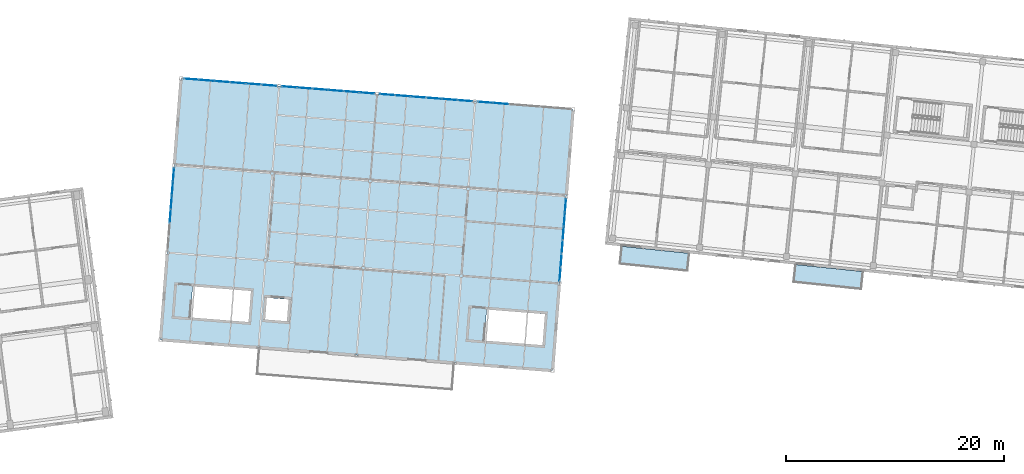
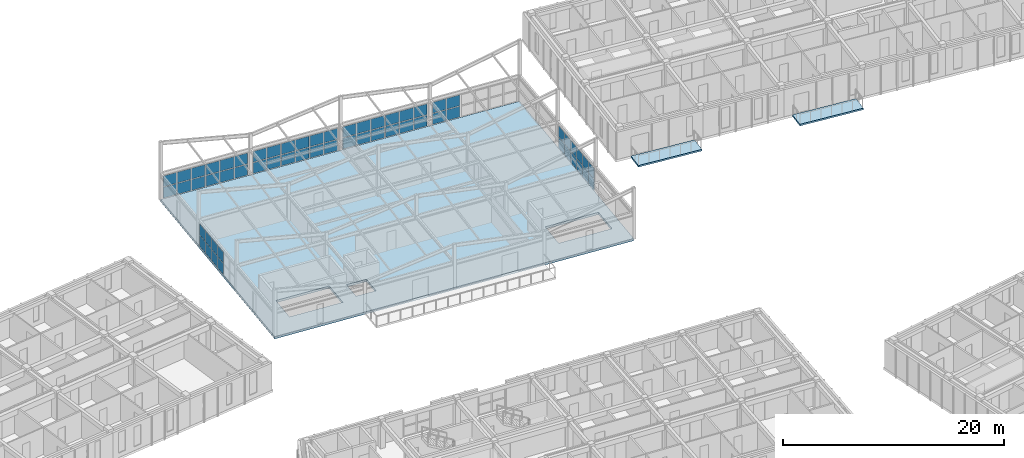
# One storey, part 70 of 127: 60 plates, 3 slabs, 6 elements without a shape of their own.
"""IFC4 building model written with IfcOpenShell, lengths in metres."""

from ifc_helpers import new_model, si_unit, direction, frame, origin, origin_2d, place, context, subcontext, project, spatial, polyline, rectangle, outline, extrude, material, layer, layer_set, type_object, element, aggregate, save


model = new_model("IFC4")

# Units and contexts
model_context = context("Model", 3, precision=1e-05, world=origin(), true_north=direction((0.0, 1.0)))
body_context = subcontext(model_context, "Body", "Model", "MODEL_VIEW")
ifc_project = project(units=[si_unit("LENGTHUNIT", "METRE"), si_unit("AREAUNIT", "SQUARE_METRE"), si_unit("VOLUMEUNIT", "CUBIC_METRE"), si_unit("PLANEANGLEUNIT", "RADIAN"), si_unit("MASSUNIT", "GRAM", prefix="KILO")], contexts=[model_context])

# Site, building, storey
site_placement = place(None, origin())
site = spatial("IfcSite", under=ifc_project, at=site_placement, CompositionType="ELEMENT")
building_placement = place(site_placement, origin())
building = spatial("IfcBuilding", under=site, at=building_placement, Name="Kestramere Prow Commons", CompositionType="ELEMENT")
storey_placement = place(building_placement, frame((0.0, 0.0, 8.39990234375)))
storey = spatial("IfcBuildingStorey", under=building, at=storey_placement, Name="L02", CompositionType="ELEMENT", Elevation=8.39990234375)

# Curtain wall, plates
ifc_material_1 = material(Name="Anodised Aluminium and Low-E Glass", Category="aluminium")
curtain_wall_type_1 = type_object("IfcCurtainWallType", Name="CW-17 Glazed Curtain Wall 8600x2580", PredefinedType="USERDEFINED", material=ifc_material_1)
curtain_wall_1_placement = place(storey_placement, origin())
curtain_wall_1 = element("IfcCurtainWall", 1, at=curtain_wall_1_placement, inside=storey, type_object=curtain_wall_type_1, Name="Nursery L02 North Garden Glazing 1", ObjectType="GLAZED CURTAIN WALL", PredefinedType="USERDEFINED")
ifc_material_2 = material(Name="Low-E Laminated Double Glazing", Category="glass")
ifc_layer_1 = layer(ifc_material_2, 0.028076171875)
ifc_layer_set_1 = layer_set([ifc_layer_1], Name="Low-E Laminated Double Glazing")
plate_type = type_object("IfcPlateType", Name="CW-PNL-28", PredefinedType="CURTAIN_PANEL", material=ifc_layer_set_1)
plate_1_placement = place(storey_placement, frame((71.4130859375, 109.352783203125, 0.065185546875), z_axis=(0.0, 0.0, 1.0), x_axis=(0.996917335713, -0.078459070568, 0.0)))
plate_1 = element("IfcPlate", 2, at=plate_1_placement, type_object=plate_type, Name="CW-17 panel 1.1", PredefinedType="CURTAIN_PANEL", context=body_context, shape_type="SweptSolid", body=[
    extrude(rectangle(XDim=1.3359375, YDim=0.028076171875, at=origin_2d()), origin(), (0.0, 0.0, 1.0), 1.1923828125),
])
plate_2_placement = place(storey_placement, frame((71.4130859375, 109.352783203125, 1.32275390625), z_axis=(0.0, 0.0, 1.0), x_axis=(0.996917335713, -0.078459070568, 0.0)))
plate_2 = element("IfcPlate", 3, at=plate_2_placement, type_object=plate_type, Name="CW-17 panel 1.2", PredefinedType="CURTAIN_PANEL", context=body_context, shape_type="SweptSolid", body=[
    extrude(rectangle(XDim=1.3359375, YDim=0.028076171875, at=origin_2d()), origin(), (0.0, 0.0, 1.0), 1.1923828125),
])
plate_3_placement = place(storey_placement, frame((72.82568359375, 109.24169921875, 0.065185546875), z_axis=(0.0, 0.0, 1.0), x_axis=(0.996917335713, -0.078459070568, 0.0)))
plate_3 = element("IfcPlate", 4, at=plate_3_placement, type_object=plate_type, Name="CW-17 panel 2.1", PredefinedType="CURTAIN_PANEL", context=body_context, shape_type="SweptSolid", body=[
    extrude(rectangle(XDim=1.368408203125, YDim=0.028076171875, at=origin_2d()), origin(), (0.0, 0.0, 1.0), 1.1923828125),
])
plate_4_placement = place(storey_placement, frame((72.82568359375, 109.24169921875, 1.32275390625), z_axis=(0.0, 0.0, 1.0), x_axis=(0.996917335713, -0.078459070568, 0.0)))
plate_4 = element("IfcPlate", 5, at=plate_4_placement, type_object=plate_type, Name="CW-17 panel 2.2", PredefinedType="CURTAIN_PANEL", context=body_context, shape_type="SweptSolid", body=[
    extrude(rectangle(XDim=1.368408203125, YDim=0.028076171875, at=origin_2d()), origin(), (0.0, 0.0, 1.0), 1.1923828125),
])
plate_5_placement = place(storey_placement, frame((74.254638671875, 109.129150390625, 0.065185546875), z_axis=(0.0, 0.0, 1.0), x_axis=(0.996917335713, -0.078459070568, 0.0)))
plate_5 = element("IfcPlate", 6, at=plate_5_placement, type_object=plate_type, Name="CW-17 panel 3.1", PredefinedType="CURTAIN_PANEL", context=body_context, shape_type="SweptSolid", body=[
    extrude(rectangle(XDim=1.368408203125, YDim=0.028076171875, at=origin_2d()), origin(), (0.0, 0.0, 1.0), 1.1923828125),
])
plate_6_placement = place(storey_placement, frame((74.254638671875, 109.129150390625, 1.32275390625), z_axis=(0.0, 0.0, 1.0), x_axis=(0.996917335713, -0.078459070568, 0.0)))
plate_6 = element("IfcPlate", 7, at=plate_6_placement, type_object=plate_type, Name="CW-17 panel 3.2", PredefinedType="CURTAIN_PANEL", context=body_context, shape_type="SweptSolid", body=[
    extrude(rectangle(XDim=1.368408203125, YDim=0.028076171875, at=origin_2d()), origin(), (0.0, 0.0, 1.0), 1.1923828125),
])
plate_7_placement = place(storey_placement, frame((75.68359375, 109.0166015625, 0.065185546875), z_axis=(0.0, 0.0, 1.0), x_axis=(0.996917335713, -0.078459070568, 0.0)))
plate_7 = element("IfcPlate", 8, at=plate_7_placement, type_object=plate_type, Name="CW-17 panel 4.1", PredefinedType="CURTAIN_PANEL", context=body_context, shape_type="SweptSolid", body=[
    extrude(rectangle(XDim=1.368408203125, YDim=0.028076171875, at=origin_2d()), origin(), (0.0, 0.0, 1.0), 1.1923828125),
])
plate_8_placement = place(storey_placement, frame((75.68359375, 109.0166015625, 1.32275390625), z_axis=(0.0, 0.0, 1.0), x_axis=(0.996917335713, -0.078459070568, 0.0)))
plate_8 = element("IfcPlate", 9, at=plate_8_placement, type_object=plate_type, Name="CW-17 panel 4.2", PredefinedType="CURTAIN_PANEL", context=body_context, shape_type="SweptSolid", body=[
    extrude(rectangle(XDim=1.368408203125, YDim=0.028076171875, at=origin_2d()), origin(), (0.0, 0.0, 1.0), 1.1923828125),
])
plate_9_placement = place(storey_placement, frame((77.112548828125, 108.904296875, 0.065185546875), z_axis=(0.0, 0.0, 1.0), x_axis=(0.996917335713, -0.078459070568, 0.0)))
plate_9 = element("IfcPlate", 10, at=plate_9_placement, type_object=plate_type, Name="CW-17 panel 5.1", PredefinedType="CURTAIN_PANEL", context=body_context, shape_type="SweptSolid", body=[
    extrude(rectangle(XDim=1.368408203125, YDim=0.028076171875, at=origin_2d()), origin(), (0.0, 0.0, 1.0), 1.1923828125),
])
plate_10_placement = place(storey_placement, frame((77.112548828125, 108.904296875, 1.32275390625), z_axis=(0.0, 0.0, 1.0), x_axis=(0.996917335713, -0.078459070568, 0.0)))
plate_10 = element("IfcPlate", 11, at=plate_10_placement, type_object=plate_type, Name="CW-17 panel 5.2", PredefinedType="CURTAIN_PANEL", context=body_context, shape_type="SweptSolid", body=[
    extrude(rectangle(XDim=1.368408203125, YDim=0.028076171875, at=origin_2d()), origin(), (0.0, 0.0, 1.0), 1.1923828125),
])
plate_11_placement = place(storey_placement, frame((78.525146484375, 108.79296875, 0.065185546875), z_axis=(0.0, 0.0, 1.0), x_axis=(0.996917335713, -0.078459070568, 0.0)))
plate_11 = element("IfcPlate", 12, at=plate_11_placement, type_object=plate_type, Name="CW-17 panel 6.1", PredefinedType="CURTAIN_PANEL", context=body_context, shape_type="SweptSolid", body=[
    extrude(rectangle(XDim=1.3359375, YDim=0.028076171875, at=origin_2d()), origin(), (0.0, 0.0, 1.0), 1.1923828125),
])
plate_12_placement = place(storey_placement, frame((78.525146484375, 108.79296875, 1.32275390625), z_axis=(0.0, 0.0, 1.0), x_axis=(0.996917335713, -0.078459070568, 0.0)))
plate_12 = element("IfcPlate", 13, at=plate_12_placement, type_object=plate_type, Name="CW-17 panel 6.2", PredefinedType="CURTAIN_PANEL", context=body_context, shape_type="SweptSolid", body=[
    extrude(rectangle(XDim=1.3359375, YDim=0.028076171875, at=origin_2d()), origin(), (0.0, 0.0, 1.0), 1.1923828125),
])
aggregate(curtain_wall_1, [plate_1, plate_2, plate_3, plate_4, plate_5, plate_6, plate_7, plate_8, plate_9, plate_10, plate_11, plate_12])

curtain_wall_2_placement = place(storey_placement, origin())
curtain_wall_2 = element("IfcCurtainWall", 14, at=curtain_wall_2_placement, inside=storey, type_object=curtain_wall_type_1, Name="Nursery L02 North Garden Glazing 2", ObjectType="GLAZED CURTAIN WALL", PredefinedType="USERDEFINED")
plate_13_placement = place(storey_placement, frame((80.38525390625, 108.646728515625, 0.065185546875), z_axis=(0.0, 0.0, 1.0), x_axis=(0.996917335713, -0.078459070568, 0.0)))
plate_13 = element("IfcPlate", 15, at=plate_13_placement, type_object=plate_type, Name="CW-17 panel 1.1", PredefinedType="CURTAIN_PANEL", context=body_context, shape_type="SweptSolid", body=[
    extrude(rectangle(XDim=1.3359375, YDim=0.028076171875, at=origin_2d()), origin(), (0.0, 0.0, 1.0), 1.1923828125),
])
plate_14_placement = place(storey_placement, frame((80.38525390625, 108.646728515625, 1.32275390625), z_axis=(0.0, 0.0, 1.0), x_axis=(0.996917335713, -0.078459070568, 0.0)))
plate_14 = element("IfcPlate", 16, at=plate_14_placement, type_object=plate_type, Name="CW-17 panel 1.2", PredefinedType="CURTAIN_PANEL", context=body_context, shape_type="SweptSolid", body=[
    extrude(rectangle(XDim=1.3359375, YDim=0.028076171875, at=origin_2d()), origin(), (0.0, 0.0, 1.0), 1.1923828125),
])
plate_15_placement = place(storey_placement, frame((81.798095703125, 108.535400390625, 0.065185546875), z_axis=(0.0, 0.0, 1.0), x_axis=(0.996917335713, -0.078459070568, 0.0)))
plate_15 = element("IfcPlate", 17, at=plate_15_placement, type_object=plate_type, Name="CW-17 panel 2.1", PredefinedType="CURTAIN_PANEL", context=body_context, shape_type="SweptSolid", body=[
    extrude(rectangle(XDim=1.368408203125, YDim=0.028076171875, at=origin_2d()), origin(), (0.0, 0.0, 1.0), 1.1923828125),
])
plate_16_placement = place(storey_placement, frame((81.798095703125, 108.535400390625, 1.32275390625), z_axis=(0.0, 0.0, 1.0), x_axis=(0.996917335713, -0.078459070568, 0.0)))
plate_16 = element("IfcPlate", 18, at=plate_16_placement, type_object=plate_type, Name="CW-17 panel 2.2", PredefinedType="CURTAIN_PANEL", context=body_context, shape_type="SweptSolid", body=[
    extrude(rectangle(XDim=1.368408203125, YDim=0.028076171875, at=origin_2d()), origin(), (0.0, 0.0, 1.0), 1.1923828125),
])
plate_17_placement = place(storey_placement, frame((83.22705078125, 108.423095703125, 0.065185546875), z_axis=(0.0, 0.0, 1.0), x_axis=(0.996917335713, -0.078459070568, 0.0)))
plate_17 = element("IfcPlate", 19, at=plate_17_placement, type_object=plate_type, Name="CW-17 panel 3.1", PredefinedType="CURTAIN_PANEL", context=body_context, shape_type="SweptSolid", body=[
    extrude(rectangle(XDim=1.368408203125, YDim=0.028076171875, at=origin_2d()), origin(), (0.0, 0.0, 1.0), 1.1923828125),
])
plate_18_placement = place(storey_placement, frame((83.22705078125, 108.423095703125, 1.32275390625), z_axis=(0.0, 0.0, 1.0), x_axis=(0.996917335713, -0.078459070568, 0.0)))
plate_18 = element("IfcPlate", 20, at=plate_18_placement, type_object=plate_type, Name="CW-17 panel 3.2", PredefinedType="CURTAIN_PANEL", context=body_context, shape_type="SweptSolid", body=[
    extrude(rectangle(XDim=1.368408203125, YDim=0.028076171875, at=origin_2d()), origin(), (0.0, 0.0, 1.0), 1.1923828125),
])
plate_19_placement = place(storey_placement, frame((84.65576171875, 108.310546875, 0.065185546875), z_axis=(0.0, 0.0, 1.0), x_axis=(0.996917335713, -0.078459070568, 0.0)))
plate_19 = element("IfcPlate", 21, at=plate_19_placement, type_object=plate_type, Name="CW-17 panel 4.1", PredefinedType="CURTAIN_PANEL", context=body_context, shape_type="SweptSolid", body=[
    extrude(rectangle(XDim=1.368408203125, YDim=0.028076171875, at=origin_2d()), origin(), (0.0, 0.0, 1.0), 1.1923828125),
])
plate_20_placement = place(storey_placement, frame((84.65576171875, 108.310546875, 1.32275390625), z_axis=(0.0, 0.0, 1.0), x_axis=(0.996917335713, -0.078459070568, 0.0)))
plate_20 = element("IfcPlate", 22, at=plate_20_placement, type_object=plate_type, Name="CW-17 panel 4.2", PredefinedType="CURTAIN_PANEL", context=body_context, shape_type="SweptSolid", body=[
    extrude(rectangle(XDim=1.368408203125, YDim=0.028076171875, at=origin_2d()), origin(), (0.0, 0.0, 1.0), 1.1923828125),
])
plate_21_placement = place(storey_placement, frame((86.084716796875, 108.1982421875, 0.065185546875), z_axis=(0.0, 0.0, 1.0), x_axis=(0.996917335713, -0.078459070568, 0.0)))
plate_21 = element("IfcPlate", 23, at=plate_21_placement, type_object=plate_type, Name="CW-17 panel 5.1", PredefinedType="CURTAIN_PANEL", context=body_context, shape_type="SweptSolid", body=[
    extrude(rectangle(XDim=1.368408203125, YDim=0.028076171875, at=origin_2d()), origin(), (0.0, 0.0, 1.0), 1.1923828125),
])
plate_22_placement = place(storey_placement, frame((86.084716796875, 108.1982421875, 1.32275390625), z_axis=(0.0, 0.0, 1.0), x_axis=(0.996917335713, -0.078459070568, 0.0)))
plate_22 = element("IfcPlate", 24, at=plate_22_placement, type_object=plate_type, Name="CW-17 panel 5.2", PredefinedType="CURTAIN_PANEL", context=body_context, shape_type="SweptSolid", body=[
    extrude(rectangle(XDim=1.368408203125, YDim=0.028076171875, at=origin_2d()), origin(), (0.0, 0.0, 1.0), 1.1923828125),
])
plate_23_placement = place(storey_placement, frame((87.49755859375, 108.0869140625, 0.065185546875), z_axis=(0.0, 0.0, 1.0), x_axis=(0.996917335713, -0.078459070568, 0.0)))
plate_23 = element("IfcPlate", 25, at=plate_23_placement, type_object=plate_type, Name="CW-17 panel 6.1", PredefinedType="CURTAIN_PANEL", context=body_context, shape_type="SweptSolid", body=[
    extrude(rectangle(XDim=1.3359375, YDim=0.028076171875, at=origin_2d()), origin(), (0.0, 0.0, 1.0), 1.1923828125),
])
plate_24_placement = place(storey_placement, frame((87.49755859375, 108.0869140625, 1.32275390625), z_axis=(0.0, 0.0, 1.0), x_axis=(0.996917335713, -0.078459070568, 0.0)))
plate_24 = element("IfcPlate", 26, at=plate_24_placement, type_object=plate_type, Name="CW-17 panel 6.2", PredefinedType="CURTAIN_PANEL", context=body_context, shape_type="SweptSolid", body=[
    extrude(rectangle(XDim=1.3359375, YDim=0.028076171875, at=origin_2d()), origin(), (0.0, 0.0, 1.0), 1.1923828125),
])
aggregate(curtain_wall_2, [plate_13, plate_14, plate_15, plate_16, plate_17, plate_18, plate_19, plate_20, plate_21, plate_22, plate_23, plate_24])

curtain_wall_3_placement = place(storey_placement, origin())
curtain_wall_3 = element("IfcCurtainWall", 27, at=curtain_wall_3_placement, inside=storey, type_object=curtain_wall_type_1, Name="Nursery L02 North Garden Glazing 3", ObjectType="GLAZED CURTAIN WALL", PredefinedType="USERDEFINED")
plate_25_placement = place(storey_placement, frame((89.357666015625, 107.940673828125, 0.065185546875), z_axis=(0.0, 0.0, 1.0), x_axis=(0.996917335713, -0.078459070568, 0.0)))
plate_25 = element("IfcPlate", 28, at=plate_25_placement, type_object=plate_type, Name="CW-17 panel 1.1", PredefinedType="CURTAIN_PANEL", context=body_context, shape_type="SweptSolid", body=[
    extrude(rectangle(XDim=1.3359375, YDim=0.028076171875, at=origin_2d()), origin(), (0.0, 0.0, 1.0), 1.1923828125),
])
plate_26_placement = place(storey_placement, frame((89.357666015625, 107.940673828125, 1.32275390625), z_axis=(0.0, 0.0, 1.0), x_axis=(0.996917335713, -0.078459070568, 0.0)))
plate_26 = element("IfcPlate", 29, at=plate_26_placement, type_object=plate_type, Name="CW-17 panel 1.2", PredefinedType="CURTAIN_PANEL", context=body_context, shape_type="SweptSolid", body=[
    extrude(rectangle(XDim=1.3359375, YDim=0.028076171875, at=origin_2d()), origin(), (0.0, 0.0, 1.0), 1.1923828125),
])
plate_27_placement = place(storey_placement, frame((90.770263671875, 107.829345703125, 0.065185546875), z_axis=(0.0, 0.0, 1.0), x_axis=(0.996917335713, -0.078459070568, 0.0)))
plate_27 = element("IfcPlate", 30, at=plate_27_placement, type_object=plate_type, Name="CW-17 panel 2.1", PredefinedType="CURTAIN_PANEL", context=body_context, shape_type="SweptSolid", body=[
    extrude(rectangle(XDim=1.368408203125, YDim=0.028076171875, at=origin_2d()), origin(), (0.0, 0.0, 1.0), 1.1923828125),
])
plate_28_placement = place(storey_placement, frame((90.770263671875, 107.829345703125, 1.32275390625), z_axis=(0.0, 0.0, 1.0), x_axis=(0.996917335713, -0.078459070568, 0.0)))
plate_28 = element("IfcPlate", 31, at=plate_28_placement, type_object=plate_type, Name="CW-17 panel 2.2", PredefinedType="CURTAIN_PANEL", context=body_context, shape_type="SweptSolid", body=[
    extrude(rectangle(XDim=1.368408203125, YDim=0.028076171875, at=origin_2d()), origin(), (0.0, 0.0, 1.0), 1.1923828125),
])
plate_29_placement = place(storey_placement, frame((92.19921875, 107.716796875, 0.065185546875), z_axis=(0.0, 0.0, 1.0), x_axis=(0.996917335713, -0.078459070568, 0.0)))
plate_29 = element("IfcPlate", 32, at=plate_29_placement, type_object=plate_type, Name="CW-17 panel 3.1", PredefinedType="CURTAIN_PANEL", context=body_context, shape_type="SweptSolid", body=[
    extrude(rectangle(XDim=1.368408203125, YDim=0.028076171875, at=origin_2d()), origin(), (0.0, 0.0, 1.0), 1.1923828125),
])
plate_30_placement = place(storey_placement, frame((92.19921875, 107.716796875, 1.32275390625), z_axis=(0.0, 0.0, 1.0), x_axis=(0.996917335713, -0.078459070568, 0.0)))
plate_30 = element("IfcPlate", 33, at=plate_30_placement, type_object=plate_type, Name="CW-17 panel 3.2", PredefinedType="CURTAIN_PANEL", context=body_context, shape_type="SweptSolid", body=[
    extrude(rectangle(XDim=1.368408203125, YDim=0.028076171875, at=origin_2d()), origin(), (0.0, 0.0, 1.0), 1.1923828125),
])
plate_31_placement = place(storey_placement, frame((93.628173828125, 107.6044921875, 0.065185546875), z_axis=(0.0, 0.0, 1.0), x_axis=(0.996917335713, -0.078459070568, 0.0)))
plate_31 = element("IfcPlate", 34, at=plate_31_placement, type_object=plate_type, Name="CW-17 panel 4.1", PredefinedType="CURTAIN_PANEL", context=body_context, shape_type="SweptSolid", body=[
    extrude(rectangle(XDim=1.368408203125, YDim=0.028076171875, at=origin_2d()), origin(), (0.0, 0.0, 1.0), 1.1923828125),
])
plate_32_placement = place(storey_placement, frame((93.628173828125, 107.6044921875, 1.32275390625), z_axis=(0.0, 0.0, 1.0), x_axis=(0.996917335713, -0.078459070568, 0.0)))
plate_32 = element("IfcPlate", 35, at=plate_32_placement, type_object=plate_type, Name="CW-17 panel 4.2", PredefinedType="CURTAIN_PANEL", context=body_context, shape_type="SweptSolid", body=[
    extrude(rectangle(XDim=1.368408203125, YDim=0.028076171875, at=origin_2d()), origin(), (0.0, 0.0, 1.0), 1.1923828125),
])
plate_33_placement = place(storey_placement, frame((95.05712890625, 107.491943359375, 0.065185546875), z_axis=(0.0, 0.0, 1.0), x_axis=(0.996917335713, -0.078459070568, 0.0)))
plate_33 = element("IfcPlate", 36, at=plate_33_placement, type_object=plate_type, Name="CW-17 panel 5.1", PredefinedType="CURTAIN_PANEL", context=body_context, shape_type="SweptSolid", body=[
    extrude(rectangle(XDim=1.368408203125, YDim=0.028076171875, at=origin_2d()), origin(), (0.0, 0.0, 1.0), 1.1923828125),
])
plate_34_placement = place(storey_placement, frame((95.05712890625, 107.491943359375, 1.32275390625), z_axis=(0.0, 0.0, 1.0), x_axis=(0.996917335713, -0.078459070568, 0.0)))
plate_34 = element("IfcPlate", 37, at=plate_34_placement, type_object=plate_type, Name="CW-17 panel 5.2", PredefinedType="CURTAIN_PANEL", context=body_context, shape_type="SweptSolid", body=[
    extrude(rectangle(XDim=1.368408203125, YDim=0.028076171875, at=origin_2d()), origin(), (0.0, 0.0, 1.0), 1.1923828125),
])
plate_35_placement = place(storey_placement, frame((96.4697265625, 107.380859375, 0.065185546875), z_axis=(0.0, 0.0, 1.0), x_axis=(0.996917335713, -0.078459070568, 0.0)))
plate_35 = element("IfcPlate", 38, at=plate_35_placement, type_object=plate_type, Name="CW-17 panel 6.1", PredefinedType="CURTAIN_PANEL", context=body_context, shape_type="SweptSolid", body=[
    extrude(rectangle(XDim=1.3359375, YDim=0.028076171875, at=origin_2d()), origin(), (0.0, 0.0, 1.0), 1.1923828125),
])
plate_36_placement = place(storey_placement, frame((96.4697265625, 107.380859375, 1.32275390625), z_axis=(0.0, 0.0, 1.0), x_axis=(0.996917335713, -0.078459070568, 0.0)))
plate_36 = element("IfcPlate", 39, at=plate_36_placement, type_object=plate_type, Name="CW-17 panel 6.2", PredefinedType="CURTAIN_PANEL", context=body_context, shape_type="SweptSolid", body=[
    extrude(rectangle(XDim=1.3359375, YDim=0.028076171875, at=origin_2d()), origin(), (0.0, 0.0, 1.0), 1.1923828125),
])
aggregate(curtain_wall_3, [plate_25, plate_26, plate_27, plate_28, plate_29, plate_30, plate_31, plate_32, plate_33, plate_34, plate_35, plate_36])

curtain_wall_4_placement = place(storey_placement, origin())
curtain_wall_4 = element("IfcCurtainWall", 40, at=curtain_wall_4_placement, inside=storey, type_object=curtain_wall_type_1, Name="Nursery L02 North Garden Glazing 4", ObjectType="GLAZED CURTAIN WALL", PredefinedType="USERDEFINED")
plate_37_placement = place(storey_placement, frame((98.329833984375, 107.234375, 0.065185546875), z_axis=(0.0, 0.0, 1.0), x_axis=(0.996917326618, -0.078459186136, 0.0)))
plate_37 = element("IfcPlate", 41, at=plate_37_placement, type_object=plate_type, Name="CW-17 panel 1.1", PredefinedType="CURTAIN_PANEL", context=body_context, shape_type="SweptSolid", body=[
    extrude(rectangle(XDim=1.3359375, YDim=0.028076171875, at=origin_2d()), origin(), (0.0, 0.0, 1.0), 1.1923828125),
])
plate_38_placement = place(storey_placement, frame((98.329833984375, 107.234375, 1.32275390625), z_axis=(0.0, 0.0, 1.0), x_axis=(0.996917326618, -0.078459186136, 0.0)))
plate_38 = element("IfcPlate", 42, at=plate_38_placement, type_object=plate_type, Name="CW-17 panel 1.2", PredefinedType="CURTAIN_PANEL", context=body_context, shape_type="SweptSolid", body=[
    extrude(rectangle(XDim=1.3359375, YDim=0.028076171875, at=origin_2d()), origin(), (0.0, 0.0, 1.0), 1.1923828125),
])
plate_39_placement = place(storey_placement, frame((99.742431640625, 107.123291015625, 0.065185546875), z_axis=(0.0, 0.0, 1.0), x_axis=(0.996917326618, -0.078459186136, 0.0)))
plate_39 = element("IfcPlate", 43, at=plate_39_placement, type_object=plate_type, Name="CW-17 panel 2.1", PredefinedType="CURTAIN_PANEL", context=body_context, shape_type="SweptSolid", body=[
    extrude(rectangle(XDim=1.368408203125, YDim=0.028076171875, at=origin_2d()), origin(), (0.0, 0.0, 1.0), 1.1923828125),
])
plate_40_placement = place(storey_placement, frame((99.742431640625, 107.123291015625, 1.32275390625), z_axis=(0.0, 0.0, 1.0), x_axis=(0.996917326618, -0.078459186136, 0.0)))
plate_40 = element("IfcPlate", 44, at=plate_40_placement, type_object=plate_type, Name="CW-17 panel 2.2", PredefinedType="CURTAIN_PANEL", context=body_context, shape_type="SweptSolid", body=[
    extrude(rectangle(XDim=1.368408203125, YDim=0.028076171875, at=origin_2d()), origin(), (0.0, 0.0, 1.0), 1.1923828125),
])
aggregate(curtain_wall_4, [plate_37, plate_38, plate_39, plate_40])

curtain_wall_type_2 = type_object("IfcCurtainWallType", Name="CW-18 Glazed Curtain Wall 7600x2580", PredefinedType="USERDEFINED", material=ifc_material_1)
curtain_wall_5_placement = place(storey_placement, origin())
curtain_wall_5 = element("IfcCurtainWall", 45, at=curtain_wall_5_placement, inside=storey, type_object=curtain_wall_type_2, Name="Nursery L02 W End Glazing", ObjectType="GLAZED CURTAIN WALL", PredefinedType="USERDEFINED")
plate_41_placement = place(storey_placement, frame((69.49169921875, 96.83154296875, 0.065185546875), z_axis=(0.0, 0.0, 1.0), x_axis=(0.078459076345, 0.996917335259, 0.0)))
plate_41 = element("IfcPlate", 46, at=plate_41_placement, type_object=plate_type, Name="CW-18 panel 3.1", PredefinedType="CURTAIN_PANEL", context=body_context, shape_type="SweptSolid", body=[
    extrude(rectangle(XDim=1.20166015625, YDim=0.028076171875, at=origin_2d()), origin(), (0.0, 0.0, 1.0), 1.1923828125),
])
plate_42_placement = place(storey_placement, frame((69.49169921875, 96.83154296875, 1.32275390625), z_axis=(0.0, 0.0, 1.0), x_axis=(0.078459076345, 0.996917335259, 0.0)))
plate_42 = element("IfcPlate", 47, at=plate_42_placement, type_object=plate_type, Name="CW-18 panel 3.2", PredefinedType="CURTAIN_PANEL", context=body_context, shape_type="SweptSolid", body=[
    extrude(rectangle(XDim=1.20166015625, YDim=0.028076171875, at=origin_2d()), origin(), (0.0, 0.0, 1.0), 1.1923828125),
])
plate_43_placement = place(storey_placement, frame((69.59130859375, 98.094482421875, 0.065185546875), z_axis=(0.0, 0.0, 1.0), x_axis=(0.078459076345, 0.996917335259, 0.0)))
plate_43 = element("IfcPlate", 48, at=plate_43_placement, type_object=plate_type, Name="CW-18 panel 4.1", PredefinedType="CURTAIN_PANEL", context=body_context, shape_type="SweptSolid", body=[
    extrude(rectangle(XDim=1.20166015625, YDim=0.028076171875, at=origin_2d()), origin(), (0.0, 0.0, 1.0), 1.1923828125),
])
plate_44_placement = place(storey_placement, frame((69.59130859375, 98.094482421875, 1.32275390625), z_axis=(0.0, 0.0, 1.0), x_axis=(0.078459076345, 0.996917335259, 0.0)))
plate_44 = element("IfcPlate", 49, at=plate_44_placement, type_object=plate_type, Name="CW-18 panel 4.2", PredefinedType="CURTAIN_PANEL", context=body_context, shape_type="SweptSolid", body=[
    extrude(rectangle(XDim=1.20166015625, YDim=0.028076171875, at=origin_2d()), origin(), (0.0, 0.0, 1.0), 1.1923828125),
])
plate_45_placement = place(storey_placement, frame((69.690673828125, 99.357177734375, 0.065185546875), z_axis=(0.0, 0.0, 1.0), x_axis=(0.078459076345, 0.996917335259, 0.0)))
plate_45 = element("IfcPlate", 50, at=plate_45_placement, type_object=plate_type, Name="CW-18 panel 5.1", PredefinedType="CURTAIN_PANEL", context=body_context, shape_type="SweptSolid", body=[
    extrude(rectangle(XDim=1.20166015625, YDim=0.028076171875, at=origin_2d()), origin(), (0.0, 0.0, 1.0), 1.1923828125),
])
plate_46_placement = place(storey_placement, frame((69.690673828125, 99.357177734375, 1.32275390625), z_axis=(0.0, 0.0, 1.0), x_axis=(0.078459076345, 0.996917335259, 0.0)))
plate_46 = element("IfcPlate", 51, at=plate_46_placement, type_object=plate_type, Name="CW-18 panel 5.2", PredefinedType="CURTAIN_PANEL", context=body_context, shape_type="SweptSolid", body=[
    extrude(rectangle(XDim=1.20166015625, YDim=0.028076171875, at=origin_2d()), origin(), (0.0, 0.0, 1.0), 1.1923828125),
])
plate_47_placement = place(storey_placement, frame((69.78857421875, 100.603759765625, 0.065185546875), z_axis=(0.0, 0.0, 1.0), x_axis=(0.078459076345, 0.996917335259, 0.0)))
plate_47 = element("IfcPlate", 52, at=plate_47_placement, type_object=plate_type, Name="CW-18 panel 6.1", PredefinedType="CURTAIN_PANEL", context=body_context, shape_type="SweptSolid", body=[
    extrude(rectangle(XDim=1.169189453125, YDim=0.028076171875, at=origin_2d()), origin(), (0.0, 0.0, 1.0), 1.1923828125),
])
plate_48_placement = place(storey_placement, frame((69.78857421875, 100.603759765625, 1.32275390625), z_axis=(0.0, 0.0, 1.0), x_axis=(0.078459076345, 0.996917335259, 0.0)))
plate_48 = element("IfcPlate", 53, at=plate_48_placement, type_object=plate_type, Name="CW-18 panel 6.2", PredefinedType="CURTAIN_PANEL", context=body_context, shape_type="SweptSolid", body=[
    extrude(rectangle(XDim=1.169189453125, YDim=0.028076171875, at=origin_2d()), origin(), (0.0, 0.0, 1.0), 1.1923828125),
])
aggregate(curtain_wall_5, [plate_41, plate_42, plate_43, plate_44, plate_45, plate_46, plate_47, plate_48])

curtain_wall_6_placement = place(storey_placement, origin())
curtain_wall_6 = element("IfcCurtainWall", 54, at=curtain_wall_6_placement, inside=storey, type_object=curtain_wall_type_2, Name="Nursery L02 E End Glazing", ObjectType="GLAZED CURTAIN WALL", PredefinedType="USERDEFINED")
plate_49_placement = place(storey_placement, frame((105.677734375, 97.779296875, 0.065185546875), z_axis=(0.0, 0.0, 1.0), x_axis=(-0.078459086628, -0.996917334449, 0.0)))
plate_49 = element("IfcPlate", 55, at=plate_49_placement, type_object=plate_type, Name="CW-18 panel 1.1", PredefinedType="CURTAIN_PANEL", context=body_context, shape_type="SweptSolid", body=[
    extrude(rectangle(XDim=1.169189453125, YDim=0.028076171875, at=origin_2d()), origin(), (0.0, 0.0, 1.0), 1.1923828125),
])
plate_50_placement = place(storey_placement, frame((105.677734375, 97.779296875, 1.32275390625), z_axis=(0.0, 0.0, 1.0), x_axis=(-0.078459086628, -0.996917334449, 0.0)))
plate_50 = element("IfcPlate", 56, at=plate_50_placement, type_object=plate_type, Name="CW-18 panel 1.2", PredefinedType="CURTAIN_PANEL", context=body_context, shape_type="SweptSolid", body=[
    extrude(rectangle(XDim=1.169189453125, YDim=0.028076171875, at=origin_2d()), origin(), (0.0, 0.0, 1.0), 1.1923828125),
])
plate_51_placement = place(storey_placement, frame((105.57958984375, 96.53271484375, 0.065185546875), z_axis=(0.0, 0.0, 1.0), x_axis=(-0.078459086628, -0.996917334449, 0.0)))
plate_51 = element("IfcPlate", 57, at=plate_51_placement, type_object=plate_type, Name="CW-18 panel 2.1", PredefinedType="CURTAIN_PANEL", context=body_context, shape_type="SweptSolid", body=[
    extrude(rectangle(XDim=1.20166015625, YDim=0.028076171875, at=origin_2d()), origin(), (0.0, 0.0, 1.0), 1.1923828125),
])
plate_52_placement = place(storey_placement, frame((105.57958984375, 96.53271484375, 1.32275390625), z_axis=(0.0, 0.0, 1.0), x_axis=(-0.078459086628, -0.996917334449, 0.0)))
plate_52 = element("IfcPlate", 58, at=plate_52_placement, type_object=plate_type, Name="CW-18 panel 2.2", PredefinedType="CURTAIN_PANEL", context=body_context, shape_type="SweptSolid", body=[
    extrude(rectangle(XDim=1.20166015625, YDim=0.028076171875, at=origin_2d()), origin(), (0.0, 0.0, 1.0), 1.1923828125),
])
plate_53_placement = place(storey_placement, frame((105.480224609375, 95.269775390625, 0.065185546875), z_axis=(0.0, 0.0, 1.0), x_axis=(-0.078459086628, -0.996917334449, 0.0)))
plate_53 = element("IfcPlate", 59, at=plate_53_placement, type_object=plate_type, Name="CW-18 panel 3.1", PredefinedType="CURTAIN_PANEL", context=body_context, shape_type="SweptSolid", body=[
    extrude(rectangle(XDim=1.20166015625, YDim=0.028076171875, at=origin_2d()), origin(), (0.0, 0.0, 1.0), 1.1923828125),
])
plate_54_placement = place(storey_placement, frame((105.480224609375, 95.269775390625, 1.32275390625), z_axis=(0.0, 0.0, 1.0), x_axis=(-0.078459086628, -0.996917334449, 0.0)))
plate_54 = element("IfcPlate", 60, at=plate_54_placement, type_object=plate_type, Name="CW-18 panel 3.2", PredefinedType="CURTAIN_PANEL", context=body_context, shape_type="SweptSolid", body=[
    extrude(rectangle(XDim=1.20166015625, YDim=0.028076171875, at=origin_2d()), origin(), (0.0, 0.0, 1.0), 1.1923828125),
])
plate_55_placement = place(storey_placement, frame((105.380859375, 94.007080078125, 0.065185546875), z_axis=(0.0, 0.0, 1.0), x_axis=(-0.078459086628, -0.996917334449, 0.0)))
plate_55 = element("IfcPlate", 61, at=plate_55_placement, type_object=plate_type, Name="CW-18 panel 4.1", PredefinedType="CURTAIN_PANEL", context=body_context, shape_type="SweptSolid", body=[
    extrude(rectangle(XDim=1.20166015625, YDim=0.028076171875, at=origin_2d()), origin(), (0.0, 0.0, 1.0), 1.1923828125),
])
plate_56_placement = place(storey_placement, frame((105.380859375, 94.007080078125, 1.32275390625), z_axis=(0.0, 0.0, 1.0), x_axis=(-0.078459086628, -0.996917334449, 0.0)))
plate_56 = element("IfcPlate", 62, at=plate_56_placement, type_object=plate_type, Name="CW-18 panel 4.2", PredefinedType="CURTAIN_PANEL", context=body_context, shape_type="SweptSolid", body=[
    extrude(rectangle(XDim=1.20166015625, YDim=0.028076171875, at=origin_2d()), origin(), (0.0, 0.0, 1.0), 1.1923828125),
])
plate_57_placement = place(storey_placement, frame((105.281494140625, 92.744384765625, 0.065185546875), z_axis=(0.0, 0.0, 1.0), x_axis=(-0.078459086628, -0.996917334449, 0.0)))
plate_57 = element("IfcPlate", 63, at=plate_57_placement, type_object=plate_type, Name="CW-18 panel 5.1", PredefinedType="CURTAIN_PANEL", context=body_context, shape_type="SweptSolid", body=[
    extrude(rectangle(XDim=1.20166015625, YDim=0.028076171875, at=origin_2d()), origin(), (0.0, 0.0, 1.0), 1.1923828125),
])
plate_58_placement = place(storey_placement, frame((105.281494140625, 92.744384765625, 1.32275390625), z_axis=(0.0, 0.0, 1.0), x_axis=(-0.078459086628, -0.996917334449, 0.0)))
plate_58 = element("IfcPlate", 64, at=plate_58_placement, type_object=plate_type, Name="CW-18 panel 5.2", PredefinedType="CURTAIN_PANEL", context=body_context, shape_type="SweptSolid", body=[
    extrude(rectangle(XDim=1.20166015625, YDim=0.028076171875, at=origin_2d()), origin(), (0.0, 0.0, 1.0), 1.1923828125),
])
plate_59_placement = place(storey_placement, frame((105.183349609375, 91.497802734375, 0.065185546875), z_axis=(0.0, 0.0, 1.0), x_axis=(-0.078459086628, -0.996917334449, 0.0)))
plate_59 = element("IfcPlate", 65, at=plate_59_placement, type_object=plate_type, Name="CW-18 panel 6.1", PredefinedType="CURTAIN_PANEL", context=body_context, shape_type="SweptSolid", body=[
    extrude(rectangle(XDim=1.169189453125, YDim=0.028076171875, at=origin_2d()), origin(), (0.0, 0.0, 1.0), 1.1923828125),
])
plate_60_placement = place(storey_placement, frame((105.183349609375, 91.497802734375, 1.32275390625), z_axis=(0.0, 0.0, 1.0), x_axis=(-0.078459086628, -0.996917334449, 0.0)))
plate_60 = element("IfcPlate", 66, at=plate_60_placement, type_object=plate_type, Name="CW-18 panel 6.2", PredefinedType="CURTAIN_PANEL", context=body_context, shape_type="SweptSolid", body=[
    extrude(rectangle(XDim=1.169189453125, YDim=0.028076171875, at=origin_2d()), origin(), (0.0, 0.0, 1.0), 1.1923828125),
])
aggregate(curtain_wall_6, [plate_49, plate_50, plate_51, plate_52, plate_53, plate_54, plate_55, plate_56, plate_57, plate_58, plate_59, plate_60])

# Slabs
ifc_material_3 = material(Name="Precast concrete C40/50", Category="concrete")
ifc_layer_2 = layer(ifc_material_3, 0.179931640625)
ifc_layer_set_2 = layer_set([ifc_layer_2], Name="Precast concrete C40/50")
slab_type_1 = type_object("IfcSlabType", Name="SL-BALC-180", PredefinedType="FLOOR", material=ifc_layer_set_2)
slab_1_placement = place(storey_placement, frame((0.0, 0.0, -0.179931640625)))
element("IfcSlab", 67, at=slab_1_placement, inside=storey, type_object=slab_type_1, Name="Block B L02 Apartment Balcony Slab 1", PredefinedType="FLOOR", context=body_context, shape_type="SweptSolid", body=[
    extrude(outline(polyline([(110.60498046875, 92.423828125), (116.870361328125, 91.76513671875), (117.04296875, 93.40625), (110.77734375, 94.064697265625), (110.60498046875, 92.423828125)])), origin(), (0.0, 0.0, 1.0), 0.179931640625),
])
slab_2_placement = place(storey_placement, frame((0.0, 0.0, -0.179931640625)))
element("IfcSlab", 68, at=slab_2_placement, inside=storey, type_object=slab_type_1, Name="Block B L02 Apartment Balcony Slab 3", PredefinedType="FLOOR", context=body_context, shape_type="SweptSolid", body=[
    extrude(outline(polyline([(126.517333984375, 90.751220703125), (132.78271484375, 90.0927734375), (132.955322265625, 91.733642578125), (126.689697265625, 92.392333984375), (126.517333984375, 90.751220703125)])), origin(), (0.0, 0.0, 1.0), 0.179931640625),
])
ifc_layer_3 = layer(ifc_material_3, 0.25)
ifc_layer_set_3 = layer_set([ifc_layer_3], Name="Precast concrete C40/50")
slab_type_2 = type_object("IfcSlabType", Name="SL-HC-250", PredefinedType="FLOOR", material=ifc_layer_set_3)
slab_3_placement = place(storey_placement, frame((0.0, 0.0, -0.25)))
element("IfcSlab", 69, at=slab_3_placement, inside=storey, type_object=slab_type_2, Name="Nursery L02 Floor Slab", PredefinedType="FLOOR", context=body_context, shape_type="SweptSolid", body=[
    extrude(outline(polyline([(68.60009765625, 85.5), (104.489013671875, 82.675537109375), (106.3720703125, 106.6015625), (70.48291015625, 109.426025390625), (68.60009765625, 85.5)]), holes=[polyline([(78.175048828125, 87.3544921875), (80.1689453125, 87.197509765625), (80.32568359375, 89.19140625), (78.33203125, 89.348388671875), (78.175048828125, 87.3544921875)]), polyline([(71.318603515625, 87.54296875), (76.652099609375, 87.123291015625), (76.875732421875, 89.96435546875), (71.542236328125, 90.38427734375), (71.318603515625, 87.54296875)]), polyline([(98.2353515625, 85.424560546875), (103.56884765625, 85.0048828125), (103.79248046875, 87.845947265625), (98.458984375, 88.265869140625), (98.2353515625, 85.424560546875)])]), origin(), (0.0, 0.0, 1.0), 0.25),
])

save(model, "model.ifc")
